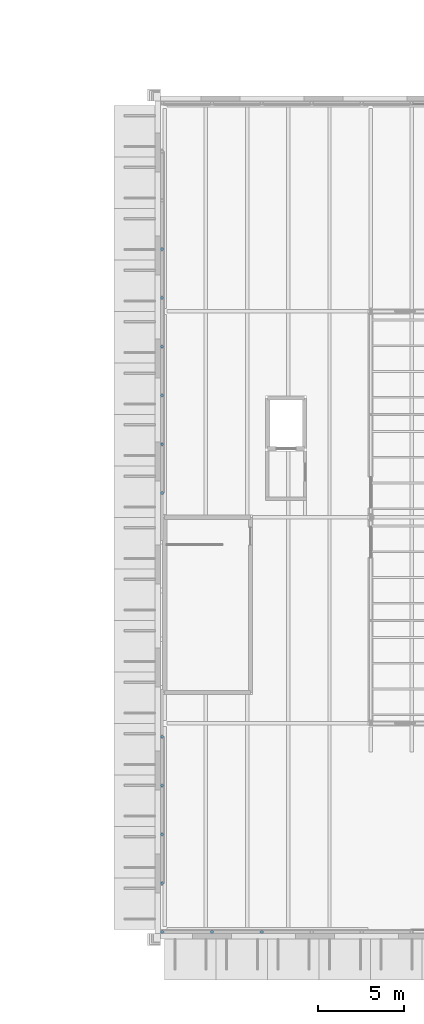
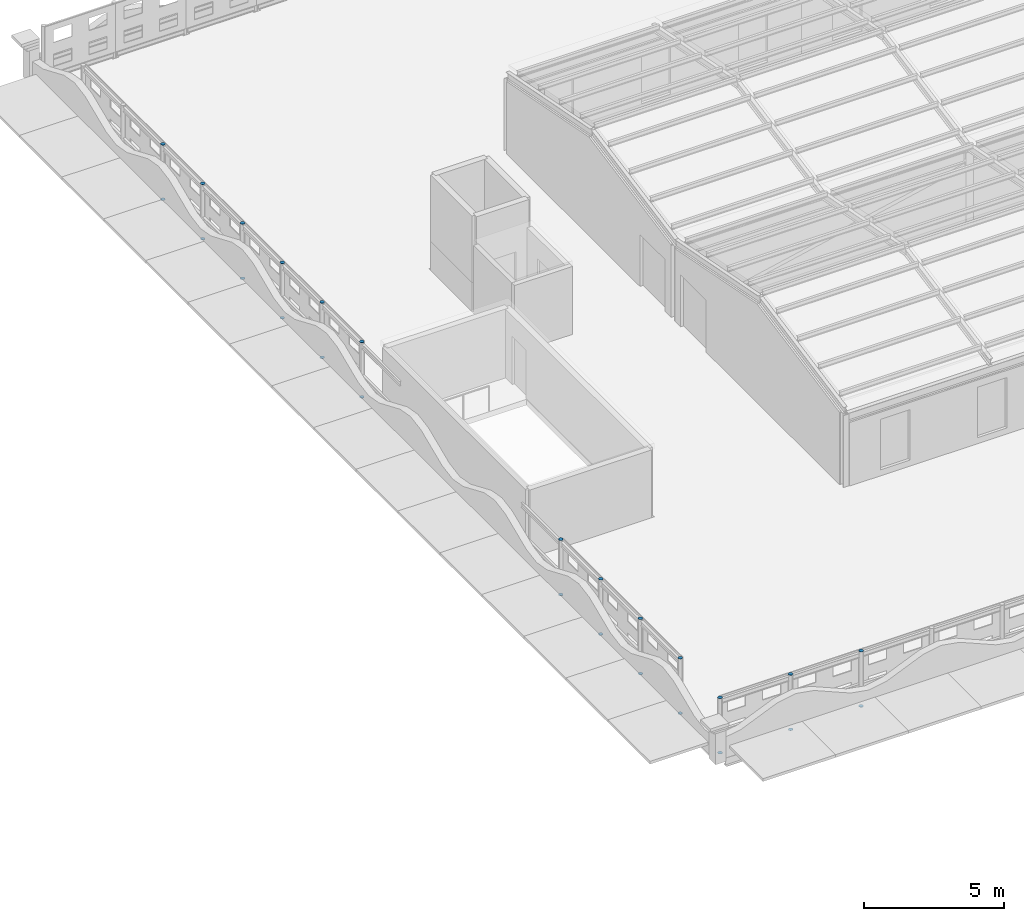
# One storey, part 72 of 91: 26 discrete accessories.
"""IFC4 building model written with IfcOpenShell, lengths in metres."""

from ifc_helpers import new_model, si_unit, direction, frame, origin, origin_2d, place, context, subcontext, project, spatial, circle, extrude, material, material_profile, profile_set, type_object, element, save


model = new_model("IFC4")

# Units and contexts
model_context = context("Model", 3, precision=1e-05, world=origin(), true_north=direction((0.0, 1.0)))
body_context = subcontext(model_context, "Body", "Model", "MODEL_VIEW")
ifc_project = project(units=[si_unit("LENGTHUNIT", "METRE"), si_unit("AREAUNIT", "SQUARE_METRE"), si_unit("VOLUMEUNIT", "CUBIC_METRE"), si_unit("PLANEANGLEUNIT", "RADIAN"), si_unit("MASSUNIT", "GRAM", prefix="KILO")], contexts=[model_context])

# Site, building, storey
site_placement = place(None, origin())
site = spatial("IfcSite", under=ifc_project, at=site_placement, CompositionType="ELEMENT")
building_placement = place(site_placement, origin())
building = spatial("IfcBuilding", under=site, at=building_placement, Name="Ravi Spectrum Wholesale Market", CompositionType="ELEMENT")
storey_placement = place(building_placement, frame((0.0, 0.0, 16.199951171875)))
storey = spatial("IfcBuildingStorey", under=building, at=storey_placement, Name="ROOF PLANT LEVEL", CompositionType="ELEMENT", Elevation=16.199951171875)

# Discrete accessories
ifc_material = material(Name="Steel S355", Category="steel")
ifc_material_profile = material_profile(ifc_material, circle(Radius=0.084228515625, at=origin_2d()))
ifc_profile_set = profile_set([ifc_material_profile], Name="Steel S355")
discrete_accessory_type = type_object("IfcDiscreteAccessoryType", Name="End plate CHS 168.3x6.3", PredefinedType="BRACKET", material=ifc_profile_set)
for number, where, z_axis, x_axis, name in (
    (1, (197.85009765625, 17.85009765625, 0.0), (0.0, 0.0, -1.0), (1.0, 0.0, 0.0), "End plate"),
    (2, (197.85009765625, 17.85009765625, 2.400146484375), (0.0, 0.0, 1.0), (1.0, 0.0, 0.0), "End plate"),
    (3, (200.7568359375, 17.85009765625, 0.0), (0.0, 0.0, -1.0), (1.0, 0.0, 0.0), "End plate"),
    (4, (200.7568359375, 17.85009765625, 2.400146484375), (0.0, 0.0, 1.0), (1.0, 0.0, 0.0), "End plate"),
    (5, (203.663818359375, 17.85009765625, 0.0), (0.0, 0.0, -1.0), (1.0, 0.0, 0.0), "End plate"),
    (6, (203.663818359375, 17.85009765625, 2.400146484375), (0.0, 0.0, 1.0), (1.0, 0.0, 0.0), "End plate"),
    (7, (197.85009765625, 57.62646484375, 0.0), (0.0, 0.0, -1.0), (1.0, 0.0, 0.0), "End plate"),
    (8, (197.85009765625, 57.62646484375, 2.400146484375), (0.0, 0.0, 1.0), (1.0, 0.0, 0.0), "End plate"),
    (9, (197.85009765625, 54.785400390625, 0.0), (0.0, 0.0, -1.0), (1.0, 0.0, 0.0), "End plate"),
    (10, (197.85009765625, 54.785400390625, 2.400146484375), (0.0, 0.0, 1.0), (1.0, 0.0, 0.0), "End plate"),
    (11, (197.85009765625, 51.944091796875, 0.0), (0.0, 0.0, -1.0), (1.0, 0.0, 0.0), "End plate"),
    (12, (197.85009765625, 51.944091796875, 2.400146484375), (0.0, 0.0, 1.0), (1.0, 0.0, 0.0), "End plate"),
    (13, (197.85009765625, 49.10302734375, 0.0), (0.0, 0.0, -1.0), (1.0, 0.0, 0.0), "End plate"),
    (14, (197.85009765625, 49.10302734375, 2.400146484375), (0.0, 0.0, 1.0), (1.0, 0.0, 0.0), "End plate"),
    (15, (197.85009765625, 46.26171875, 0.0), (0.0, 0.0, -1.0), (1.0, 0.0, 0.0), "End plate"),
    (16, (197.85009765625, 46.26171875, 2.400146484375), (0.0, 0.0, 1.0), (1.0, 0.0, 0.0), "End plate"),
    (17, (197.85009765625, 43.420654296875, 0.0), (0.0, 0.0, -1.0), (1.0, 0.0, 0.0), "End plate"),
    (18, (197.85009765625, 43.420654296875, 2.400146484375), (0.0, 0.0, 1.0), (1.0, 0.0, 0.0), "End plate"),
    (19, (197.85009765625, 29.214599609375, 0.0), (0.0, 0.0, -1.0), (1.0, 0.0, 0.0), "End plate"),
    (20, (197.85009765625, 29.214599609375, 2.400146484375), (0.0, 0.0, 1.0), (1.0, 0.0, 0.0), "End plate"),
    (21, (197.85009765625, 26.37353515625, 0.0), (0.0, 0.0, -1.0), (1.0, 0.0, 0.0), "End plate"),
    (22, (197.85009765625, 26.37353515625, 2.400146484375), (0.0, 0.0, 1.0), (1.0, 0.0, 0.0), "End plate"),
    (23, (197.85009765625, 23.532470703125, 0.0), (0.0, 0.0, -1.0), (1.0, 0.0, 0.0), "End plate"),
    (24, (197.85009765625, 23.532470703125, 2.400146484375), (0.0, 0.0, 1.0), (1.0, 0.0, 0.0), "End plate"),
    (25, (197.85009765625, 20.691162109375, 0.0), (0.0, 0.0, -1.0), (1.0, 0.0, 0.0), "End plate"),
    (26, (197.85009765625, 20.691162109375, 2.400146484375), (0.0, 0.0, 1.0), (1.0, 0.0, 0.0), "End plate"),
):
    element("IfcDiscreteAccessory", number, at=place(storey_placement, frame(where, z_axis=z_axis, x_axis=x_axis)), inside=storey, type_object=discrete_accessory_type, Name=name, PredefinedType="BRACKET", context=body_context, shape_type="SweptSolid", body=[
        extrude(circle(Radius=0.084228515625, at=origin_2d()), origin(), (0.0, 0.0, 1.0), 0.011962890625),
    ])

save(model, "model.ifc")
